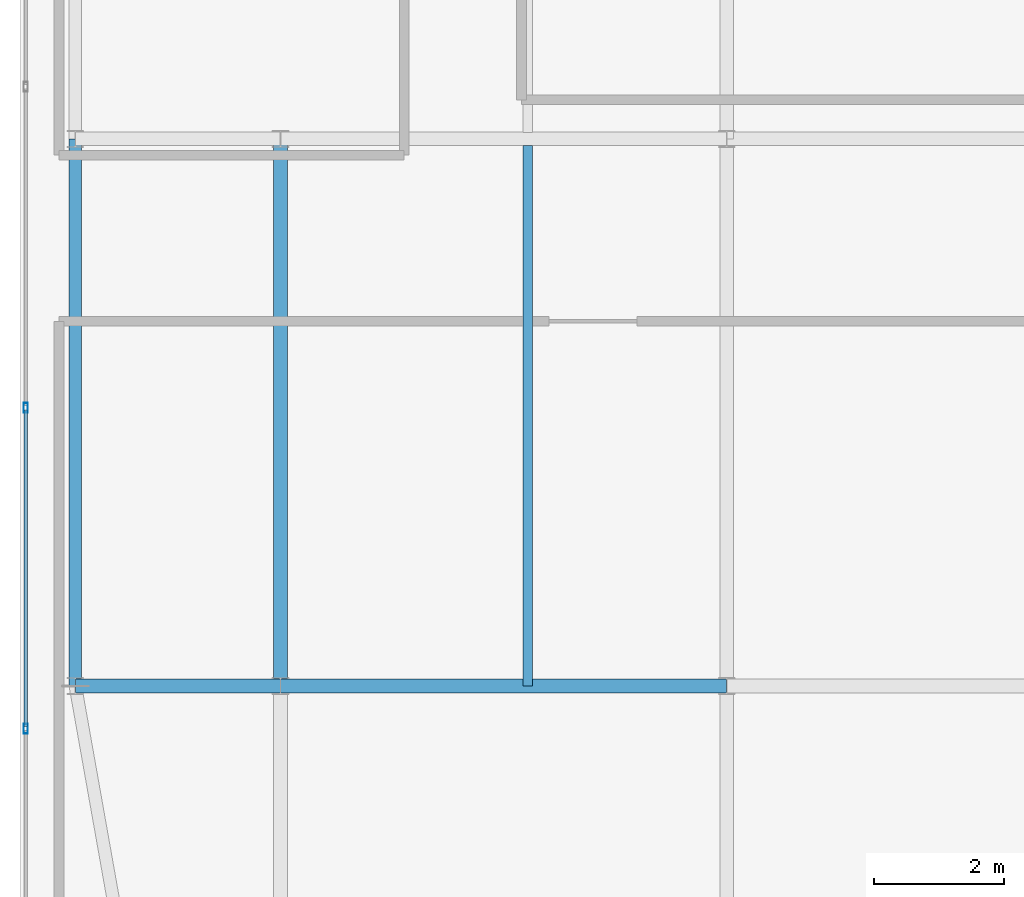
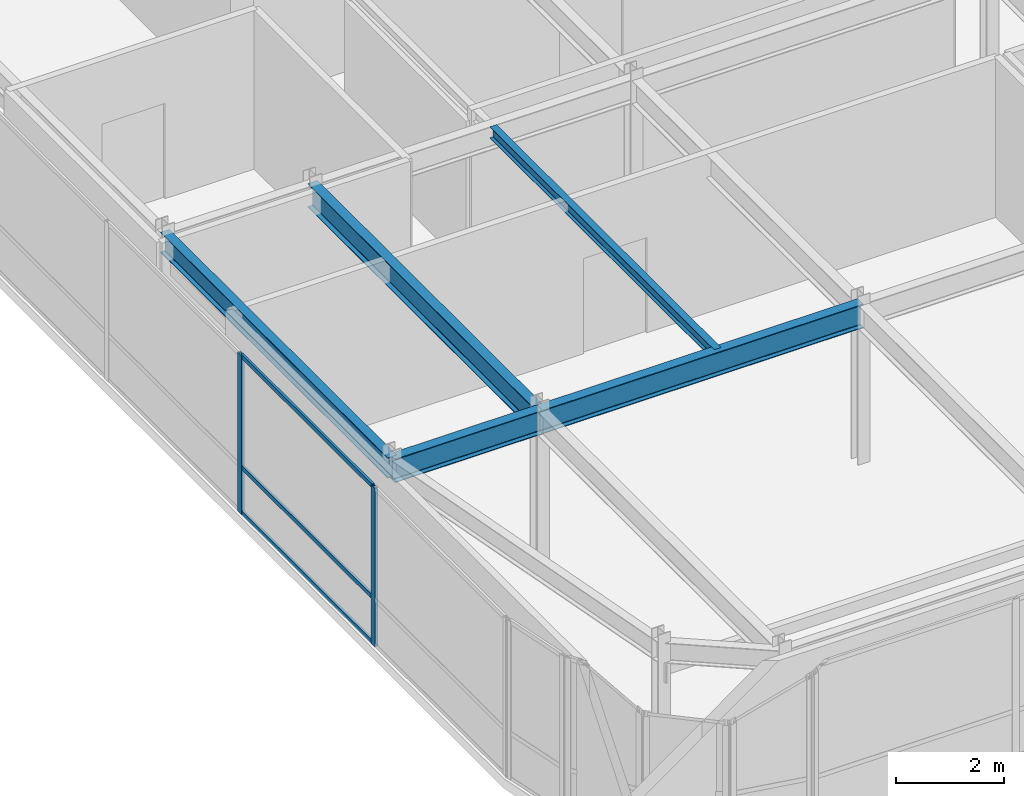
# One storey, part 8 of 36: 5 beams, 5 members, 1 element without a shape of its own.
"""IFC4 building model written with IfcOpenShell, lengths in metres."""

from ifc_helpers import new_model, si_unit, direction, frame, origin, origin_2d, place, context, subcontext, project, spatial, hollow_rectangle, i_section, extrude, source, transform, mapped, material, layer, layer_set, material_profile, profile_set, type_object, type_shapes, element, aggregate, save


model = new_model("IFC4")

# Units and contexts
model_context = context("Model", 3, precision=1e-05, world=origin(), true_north=direction((0.0, 1.0)))
body_context = subcontext(model_context, "Body", "Model", "MODEL_VIEW")
ifc_project = project(units=[si_unit("LENGTHUNIT", "METRE"), si_unit("AREAUNIT", "SQUARE_METRE"), si_unit("VOLUMEUNIT", "CUBIC_METRE"), si_unit("PLANEANGLEUNIT", "RADIAN"), si_unit("MASSUNIT", "GRAM", prefix="KILO")], contexts=[model_context])

# Site, building, storey
site_placement = place(None, origin())
site = spatial("IfcSite", under=ifc_project, at=site_placement, CompositionType="ELEMENT")
building_placement = place(site_placement, origin())
building = spatial("IfcBuilding", under=site, at=building_placement, Name="Tolvann Quenvar Hotel", CompositionType="ELEMENT")
storey_placement = place(building_placement, frame((0.0, 0.0, 294.75)))
storey = spatial("IfcBuildingStorey", under=building, at=storey_placement, Name="L78", CompositionType="ELEMENT", Elevation=294.75)

# Beams
ifc_material_1 = material(Name="Steel Grade 350", Category="steel")
ifc_material_profile_1 = material_profile(ifc_material_1, i_section(OverallWidth=0.208984375, OverallDepth=0.532958984375, WebThickness=0.01025390625, FlangeThickness=0.015625, FilletRadius=0.013916015625, at=origin_2d()), Name="530UB92")
ifc_profile_set_1 = profile_set([ifc_material_profile_1], Name="Steel Grade 350")
beam_type_1 = type_object("IfcBeamType", Name="BM_GIRD_530UB92", PredefinedType="BEAM", material=ifc_profile_set_1)
shared_shape_1 = source(origin(), body_context, "Body", "SweptSolid", [
    extrude(i_section(OverallWidth=0.208984375, OverallDepth=0.532958984375, WebThickness=0.01025390625, FlangeThickness=0.015625, FilletRadius=0.013916015625, at=origin_2d()), origin(), (0.0, 0.0, 1.0), 8.39990234375),
])
beam_1_placement = place(storey_placement, frame((7.60009765625, 16.0, 3.3134765625), z_axis=(0.0, 1.0, 0.0), x_axis=(-1.0, 0.0, 0.0)))
element("IfcBeam", 1, at=beam_1_placement, inside=storey, type_object=beam_type_1, Name="BM-L78-NS-C4-C5", PredefinedType="BEAM", context=body_context, shape_type="MappedRepresentation", body=[
    mapped(shared_shape_1, transform((0.0, 0.0, 0.0), x_axis=(1.0, 0.0, 0.0), y_axis=(0.0, 1.0, 0.0), z_axis=(0.0, 0.0, 1.0), scale=1.0)),
])
ifc_material_profile_2 = material_profile(ifc_material_1, i_section(OverallWidth=0.19091796875, OverallDepth=0.4599609375, WebThickness=0.010009765625, FlangeThickness=0.01611328125, FilletRadius=0.011474609375, at=origin_2d()), Name="460UB82")
ifc_profile_set_2 = profile_set([ifc_material_profile_2], Name="Steel Grade 350")
beam_type_2 = type_object("IfcBeamType", Name="BM_SPAND_460UB82", PredefinedType="SPANDREL", material=ifc_profile_set_2)
shared_shape_2 = source(origin(), body_context, "Body", "SweptSolid", [
    extrude(i_section(OverallWidth=0.19091796875, OverallDepth=0.4599609375, WebThickness=0.010009765625, FlangeThickness=0.01611328125, FilletRadius=0.011474609375, at=origin_2d()), origin(), (0.0, 0.0, 1.0), 8.39990234375),
])
type_shapes(beam_type_2, [shared_shape_2])
beam_2_placement = place(storey_placement, frame((4.449951171875, 16.0, 3.35009765625), z_axis=(0.0, 1.0, 0.0), x_axis=(-1.0, 0.0, 0.0)))
element("IfcBeam", 2, at=beam_2_placement, inside=storey, type_object=beam_type_2, Name="BM-L78-NS-B4-B5", PredefinedType="SPANDREL", context=body_context, shape_type="MappedRepresentation", body=[
    mapped(shared_shape_2, transform((0.0, 0.0, 0.0), x_axis=(1.0, 0.0, 0.0), y_axis=(0.0, 1.0, 0.0), z_axis=(0.0, 0.0, 1.0), scale=1.0)),
])
shared_shape_3 = source(origin(), body_context, "Body", "SweptSolid", [
    extrude(i_section(OverallWidth=0.208984375, OverallDepth=0.532958984375, WebThickness=0.01025390625, FlangeThickness=0.015625, FilletRadius=0.013916015625, at=origin_2d()), origin(), (0.0, 0.0, 1.0), 6.849853515625),
])
beam_3_placement = place(storey_placement, frame((7.60009765625, 16.0, 3.3134765625), z_axis=(1.0, 0.0, 0.0), x_axis=(0.0, 1.0, 0.0)))
element("IfcBeam", 3, at=beam_3_placement, inside=storey, type_object=beam_type_1, Name="BM-L78-EW-4-C4-D4", PredefinedType="BEAM", context=body_context, shape_type="MappedRepresentation", body=[
    mapped(shared_shape_3, transform((0.0, 0.0, 0.0), x_axis=(1.0, 0.0, 0.0), y_axis=(0.0, 1.0, 0.0), z_axis=(0.0, 0.0, 1.0), scale=1.0)),
])
shared_shape_4 = source(origin(), body_context, "Body", "SweptSolid", [
    extrude(i_section(OverallWidth=0.208984375, OverallDepth=0.532958984375, WebThickness=0.01025390625, FlangeThickness=0.015625, FilletRadius=0.013916015625, at=origin_2d()), origin(), (0.0, 0.0, 1.0), 3.150146484375),
])
type_shapes(beam_type_1, [shared_shape_1, shared_shape_3, shared_shape_4])
beam_4_placement = place(storey_placement, frame((4.449951171875, 16.0, 3.3134765625), z_axis=(1.0, 0.0, 0.0), x_axis=(0.0, 1.0, 0.0)))
element("IfcBeam", 4, at=beam_4_placement, inside=storey, type_object=beam_type_1, Name="BM-L78-EW-4-B4-C4", PredefinedType="BEAM", context=body_context, shape_type="MappedRepresentation", body=[
    mapped(shared_shape_4, transform((0.0, 0.0, 0.0), x_axis=(1.0, 0.0, 0.0), y_axis=(0.0, 1.0, 0.0), z_axis=(0.0, 0.0, 1.0), scale=1.0)),
])
ifc_material_profile_3 = material_profile(ifc_material_1, i_section(OverallWidth=0.14599609375, OverallDepth=0.256103515625, WebThickness=0.00634765625, FlangeThickness=0.010986328125, FilletRadius=0.0087890625, at=origin_2d()), Name="250UB37")
ifc_profile_set_3 = profile_set([ifc_material_profile_3], Name="Steel Grade 350")
beam_type_3 = type_object("IfcBeamType", Name="BM_JOIST_250UB37", PredefinedType="JOIST", material=ifc_profile_set_3)
shared_shape_5 = source(origin(), body_context, "Body", "SweptSolid", [
    extrude(i_section(OverallWidth=0.14599609375, OverallDepth=0.256103515625, WebThickness=0.00634765625, FlangeThickness=0.010986328125, FilletRadius=0.0087890625, at=origin_2d()), origin(), (0.0, 0.0, 1.0), 8.301513671875),
])
type_shapes(beam_type_3, [shared_shape_5])
beam_5_placement = place(storey_placement, frame((11.39990234375, 16.0, 3.451904296875), z_axis=(0.0, 1.0, 0.0), x_axis=(-1.0, 0.0, 0.0)))
element("IfcBeam", 5, at=beam_5_placement, inside=storey, type_object=beam_type_3, Name="BJ-L78-114-160", PredefinedType="JOIST", context=body_context, shape_type="MappedRepresentation", body=[
    mapped(shared_shape_5, transform((0.0, 0.0, 0.0), x_axis=(1.0, 0.0, 0.0), y_axis=(0.0, 1.0, 0.0), z_axis=(0.0, 0.0, 1.0), scale=1.0)),
])

# Curtain wall, members
ifc_material_2 = material(Name="Thermally broken anodised architectural aluminium 6063-T6 and laminated low-E glass", Category="aluminium")
ifc_layer = layer(ifc_material_2, 0.179931640625)
ifc_layer_set = layer_set([ifc_layer], Name="Thermally broken anodised architectural aluminium 6063-T6 and laminated low-E glass")
curtain_wall_type = type_object("IfcCurtainWallType", Name="CW_SYS_LANT_06", PredefinedType="USERDEFINED", material=ifc_layer_set)
curtain_wall_placement = place(storey_placement, origin())
curtain_wall = element("IfcCurtainWall", 6, at=curtain_wall_placement, inside=storey, type_object=curtain_wall_type, Name="Curtain Wall CW-LANT-06 (CWR-L78-E19)", ObjectType="UNITISED CURTAIN WALL", PredefinedType="USERDEFINED")
ifc_material_3 = material(Name="Anodised architectural aluminium 6063-T6 framing", Category="aluminium")
ifc_material_profile_4 = material_profile(ifc_material_3, hollow_rectangle(XDim=0.06494140625, YDim=0.14990234375, WallThickness=0.00390625, at=origin_2d()), Name="150x65x4RHS")
ifc_profile_set_4 = profile_set([ifc_material_profile_4], Name="Anodised architectural aluminium 6063-T6 framing")
member_type_1 = type_object("IfcMemberType", Name="CW_MULL_150x65", PredefinedType="MULLION", material=ifc_profile_set_4)
shared_shape_6 = source(origin(), body_context, "Body", "SweptSolid", [
    extrude(hollow_rectangle(XDim=0.06494140625, YDim=0.14990234375, WallThickness=0.00390625, at=origin_2d()), origin(), (0.0, 0.0, 1.0), 3.580078125),
])
type_shapes(member_type_1, [shared_shape_6])
member_1_placement = place(storey_placement, frame((3.68994140625, 20.2724609375, 0.0), z_axis=(0.0, 0.0, 1.0), x_axis=(1.0, 0.0, 0.0)))
member_1 = element("IfcMember", 7, at=member_1_placement, type_object=member_type_1, Name="CW-LANT-06 mullion 5", PredefinedType="MULLION", context=body_context, shape_type="MappedRepresentation", body=[
    mapped(shared_shape_6, transform((0.0, 0.0, 0.0), x_axis=(1.0, 0.0, 0.0), y_axis=(0.0, 1.0, 0.0), z_axis=(0.0, 0.0, 1.0), scale=1.0)),
])
member_2_placement = place(storey_placement, frame((3.68994140625, 15.3447265625, 0.0), z_axis=(0.0, 0.0, 1.0), x_axis=(1.0, 0.0, 0.0)))
member_2 = element("IfcMember", 8, at=member_2_placement, type_object=member_type_1, Name="CW-LANT-06 mullion 6", PredefinedType="MULLION", context=body_context, shape_type="MappedRepresentation", body=[
    mapped(shared_shape_6, transform((0.0, 0.0, 0.0), x_axis=(1.0, 0.0, 0.0), y_axis=(0.0, 1.0, 0.0), z_axis=(0.0, 0.0, 1.0), scale=1.0)),
])
ifc_material_profile_5 = material_profile(ifc_material_3, hollow_rectangle(XDim=0.050048828125, YDim=0.10009765625, WallThickness=0.0029296875, at=origin_2d()), Name="100x50x3RHS")
ifc_profile_set_5 = profile_set([ifc_material_profile_5], Name="Anodised architectural aluminium 6063-T6 framing")
member_type_2 = type_object("IfcMemberType", Name="CW_TRAN_100x50", PredefinedType="USERDEFINED", material=ifc_profile_set_5)
shared_shape_7 = source(origin(), body_context, "Body", "SweptSolid", [
    extrude(hollow_rectangle(XDim=0.050048828125, YDim=0.10009765625, WallThickness=0.0029296875, at=origin_2d()), origin(), (0.0, 0.0, 1.0), 4.86279296875),
])
type_shapes(member_type_2, [shared_shape_7])
member_3_placement = place(storey_placement, frame((3.68994140625, 20.239990234375, 0.02490234375), z_axis=(0.0, -1.0, 0.0), x_axis=(1.0, 0.0, 0.0)))
member_3 = element("IfcMember", 9, at=member_3_placement, type_object=member_type_2, Name="CW-LANT-06 transom 5.1", ObjectType="TRANSOM", PredefinedType="USERDEFINED", context=body_context, shape_type="MappedRepresentation", body=[
    mapped(shared_shape_7, transform((0.0, 0.0, 0.0), x_axis=(1.0, 0.0, 0.0), y_axis=(0.0, 1.0, 0.0), z_axis=(0.0, 0.0, 1.0), scale=1.0)),
])
member_4_placement = place(storey_placement, frame((3.68994140625, 20.239990234375, 1.050048828125), z_axis=(0.0, -1.0, 0.0), x_axis=(1.0, 0.0, 0.0)))
member_4 = element("IfcMember", 10, at=member_4_placement, type_object=member_type_2, Name="CW-LANT-06 transom 5.2", ObjectType="TRANSOM", PredefinedType="USERDEFINED", context=body_context, shape_type="MappedRepresentation", body=[
    mapped(shared_shape_7, transform((0.0, 0.0, 0.0), x_axis=(1.0, 0.0, 0.0), y_axis=(0.0, 1.0, 0.0), z_axis=(0.0, 0.0, 1.0), scale=1.0)),
])
member_5_placement = place(storey_placement, frame((3.68994140625, 20.239990234375, 3.554931640625), z_axis=(0.0, -1.0, 0.0), x_axis=(1.0, 0.0, 0.0)))
member_5 = element("IfcMember", 11, at=member_5_placement, type_object=member_type_2, Name="CW-LANT-06 transom 5.3", ObjectType="TRANSOM", PredefinedType="USERDEFINED", context=body_context, shape_type="MappedRepresentation", body=[
    mapped(shared_shape_7, transform((0.0, 0.0, 0.0), x_axis=(1.0, 0.0, 0.0), y_axis=(0.0, 1.0, 0.0), z_axis=(0.0, 0.0, 1.0), scale=1.0)),
])
aggregate(curtain_wall, [member_1, member_2, member_3, member_4, member_5])

save(model, "model.ifc")
